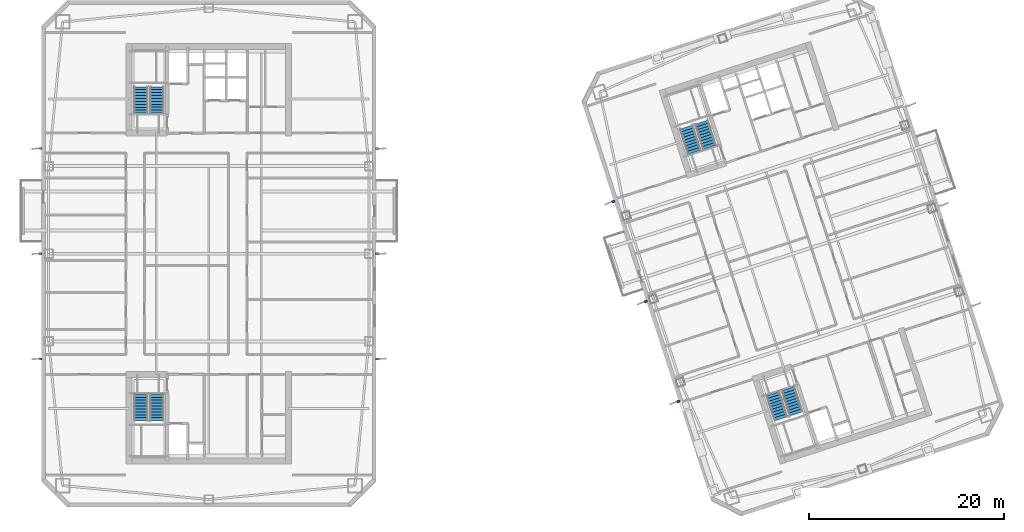
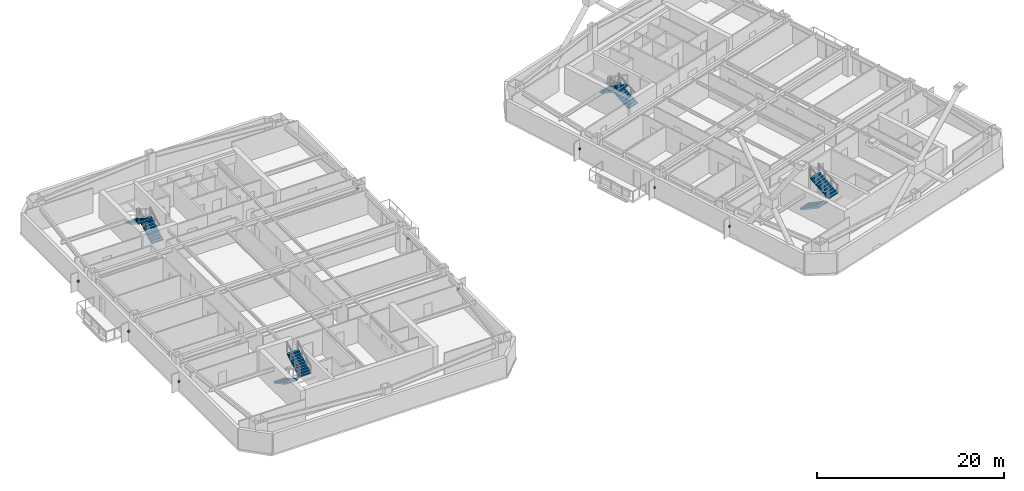
# One storey, part 12 of 18: 9 discrete accessories, 8 stair flights, 4 elements without a shape of their own.
"""IFC4 building model written with IfcOpenShell, lengths in metres."""

from ifc_helpers import new_model, si_unit, direction, frame, origin, origin_2d, place, context, subcontext, project, spatial, polyline, rectangle, outline, extrude, material, type_object, element, aggregate, save


model = new_model("IFC4")

# Units and contexts
model_context = context("Model", 3, precision=1e-05, world=origin(), true_north=direction((0.0, 1.0)))
body_context = subcontext(model_context, "Body", "Model", "MODEL_VIEW")
ifc_project = project(units=[si_unit("LENGTHUNIT", "METRE"), si_unit("AREAUNIT", "SQUARE_METRE"), si_unit("VOLUMEUNIT", "CUBIC_METRE"), si_unit("PLANEANGLEUNIT", "RADIAN"), si_unit("MASSUNIT", "GRAM", prefix="KILO")], contexts=[model_context])

# Site, building, storey
site_placement = place(None, origin())
site = spatial("IfcSite", under=ifc_project, at=site_placement, CompositionType="ELEMENT")
building_placement = place(site_placement, origin())
building = spatial("IfcBuilding", under=site, at=building_placement, Name="Qiaolan Cultural Towers", CompositionType="ELEMENT")
storey_placement = place(building_placement, frame((0.0, 0.0, 163.300048828125)))
storey = spatial("IfcBuildingStorey", under=building, at=storey_placement, Name="L43", CompositionType="ELEMENT", Elevation=163.300048828125)

# Stair, stair flights
ifc_material_1 = material(Name="Concrete C45", Category="concrete")
stair_type = type_object("IfcStairType", Name="STR-CORE-1500", PredefinedType="HALF_TURN_STAIR", material=ifc_material_1)
stair_1_placement = place(storey_placement, origin())
stair_1 = element("IfcStair", 1, at=stair_1_placement, inside=storey, type_object=stair_type, Name="L43 Smokeproof Exit Stair ST-W1", PredefinedType="HALF_TURN_STAIR")
ifc_material_2 = material(Name="Concrete C45", Category="concrete")
stair_flight_type = type_object("IfcStairFlightType", Name="STR-CORE-1500-FL", PredefinedType="STRAIGHT", material=ifc_material_2)
stair_flight_1_placement = place(storey_placement, frame((23.02001953125, 19.550048828125, 0.0), z_axis=(0.0, 0.0, 1.0), x_axis=(0.0, -1.0, 0.0)))
stair_flight_1 = element("IfcStairFlight", 2, at=stair_flight_1_placement, type_object=stair_flight_type, Name="ST-W1 flight 1", NumberOfRisers=10, NumberOfTreads=9, PredefinedType="STRAIGHT", RiserHeight=0.1725, TreadLength=0.3, context=body_context, shape_type="SweptSolid", body=[
    extrude(outline(polyline([(0.0, 0.0), (0.0, 0.172607421875), (0.300048828125, 0.172607421875), (0.300048828125, 0.344970703125), (0.60009765625, 0.344970703125), (0.60009765625, 0.517578125), (0.89990234375, 0.517578125), (0.89990234375, 0.68994140625), (1.199951171875, 0.68994140625), (1.199951171875, 0.862548828125), (1.5, 0.862548828125), (1.5, 1.034912109375), (1.800048828125, 1.034912109375), (1.800048828125, 1.20751953125), (2.10009765625, 1.20751953125), (2.10009765625, 1.3798828125), (2.39990234375, 1.3798828125), (2.39990234375, 1.552490234375), (2.699951171875, 1.552490234375), (2.699951171875, 1.72509765625), (2.699951171875, 1.379638671875), (0.30078125, 0.0), (0.0, 0.0)])), frame((0.0, 0.719970703125, 0.0), z_axis=(0.0, -1.0, 0.0), x_axis=(1.0, 0.0, 0.0)), (0.0, 0.0, 1.0), 1.43994140625),
])
stair_flight_2_placement = place(storey_placement, frame((24.659912109375, 16.85009765625, 1.724853515625), z_axis=(0.0, 0.0, 1.0), x_axis=(0.0, 1.0, 0.0)))
stair_flight_2 = element("IfcStairFlight", 3, at=stair_flight_2_placement, type_object=stair_flight_type, Name="ST-W1 flight 2", NumberOfRisers=10, NumberOfTreads=9, PredefinedType="STRAIGHT", RiserHeight=0.1725, TreadLength=0.3, context=body_context, shape_type="SweptSolid", body=[
    extrude(outline(polyline([(0.0, 0.0), (0.0, 0.172607421875), (0.300048828125, 0.172607421875), (0.300048828125, 0.344970703125), (0.60009765625, 0.344970703125), (0.60009765625, 0.517578125), (0.89990234375, 0.517578125), (0.89990234375, 0.68994140625), (1.199951171875, 0.68994140625), (1.199951171875, 0.862548828125), (1.5, 0.862548828125), (1.5, 1.034912109375), (1.800048828125, 1.034912109375), (1.800048828125, 1.20751953125), (2.10009765625, 1.20751953125), (2.10009765625, 1.3798828125), (2.39990234375, 1.3798828125), (2.39990234375, 1.552490234375), (2.699951171875, 1.552490234375), (2.699951171875, 1.72509765625), (2.699951171875, 1.379638671875), (0.30078125, 0.0), (0.0, 0.0)])), frame((0.0, 0.719970703125, 0.0), z_axis=(0.0, -1.0, 0.0), x_axis=(1.0, 0.0, 0.0)), (0.0, 0.0, 1.0), 1.43994140625),
])
aggregate(stair_1, [stair_flight_1, stair_flight_2])

stair_2_placement = place(storey_placement, origin())
stair_2 = element("IfcStair", 4, at=stair_2_placement, inside=storey, type_object=stair_type, Name="L43 Smokeproof Exit Stair ST-W2", PredefinedType="HALF_TURN_STAIR")
stair_flight_3_placement = place(storey_placement, frame((24.659912109375, 48.449951171875, 0.0), z_axis=(0.0, 0.0, 1.0), x_axis=(0.0, 1.0, 0.0)))
stair_flight_3 = element("IfcStairFlight", 5, at=stair_flight_3_placement, type_object=stair_flight_type, Name="ST-W2 flight 1", NumberOfRisers=10, NumberOfTreads=9, PredefinedType="STRAIGHT", RiserHeight=0.1725, TreadLength=0.3, context=body_context, shape_type="SweptSolid", body=[
    extrude(outline(polyline([(0.0, 0.0), (0.0, 0.172607421875), (0.300048828125, 0.172607421875), (0.300048828125, 0.344970703125), (0.60009765625, 0.344970703125), (0.60009765625, 0.517578125), (0.89990234375, 0.517578125), (0.89990234375, 0.68994140625), (1.199951171875, 0.68994140625), (1.199951171875, 0.862548828125), (1.5, 0.862548828125), (1.5, 1.034912109375), (1.800048828125, 1.034912109375), (1.800048828125, 1.20751953125), (2.10009765625, 1.20751953125), (2.10009765625, 1.3798828125), (2.39990234375, 1.3798828125), (2.39990234375, 1.552490234375), (2.699951171875, 1.552490234375), (2.699951171875, 1.72509765625), (2.699951171875, 1.379638671875), (0.30078125, 0.0), (0.0, 0.0)])), frame((0.0, 0.719970703125, 0.0), z_axis=(0.0, -1.0, 0.0), x_axis=(1.0, 0.0, 0.0)), (0.0, 0.0, 1.0), 1.43994140625),
])
stair_flight_4_placement = place(storey_placement, frame((23.02001953125, 51.14990234375, 1.724853515625), z_axis=(0.0, 0.0, 1.0), x_axis=(0.0, -1.0, 0.0)))
stair_flight_4 = element("IfcStairFlight", 6, at=stair_flight_4_placement, type_object=stair_flight_type, Name="ST-W2 flight 2", NumberOfRisers=10, NumberOfTreads=9, PredefinedType="STRAIGHT", RiserHeight=0.1725, TreadLength=0.3, context=body_context, shape_type="SweptSolid", body=[
    extrude(outline(polyline([(0.0, 0.0), (0.0, 0.172607421875), (0.300048828125, 0.172607421875), (0.300048828125, 0.344970703125), (0.60009765625, 0.344970703125), (0.60009765625, 0.517578125), (0.89990234375, 0.517578125), (0.89990234375, 0.68994140625), (1.199951171875, 0.68994140625), (1.199951171875, 0.862548828125), (1.5, 0.862548828125), (1.5, 1.034912109375), (1.800048828125, 1.034912109375), (1.800048828125, 1.20751953125), (2.10009765625, 1.20751953125), (2.10009765625, 1.3798828125), (2.39990234375, 1.3798828125), (2.39990234375, 1.552490234375), (2.699951171875, 1.552490234375), (2.699951171875, 1.72509765625), (2.699951171875, 1.379638671875), (0.30078125, 0.0), (0.0, 0.0)])), frame((0.0, 0.719970703125, 0.0), z_axis=(0.0, -1.0, 0.0), x_axis=(1.0, 0.0, 0.0)), (0.0, 0.0, 1.0), 1.43994140625),
])
aggregate(stair_2, [stair_flight_3, stair_flight_4])

stair_3_placement = place(storey_placement, origin())
stair_3 = element("IfcStair", 7, at=stair_3_placement, inside=storey, type_object=stair_type, Name="L43 Smokeproof Exit Stair ST-E1", PredefinedType="HALF_TURN_STAIR")
stair_flight_5_placement = place(storey_placement, frame((87.96484375, 19.6171875, 0.0), z_axis=(0.0, 0.0, 1.0), x_axis=(0.309016994375, -0.951056516295, 0.0)))
stair_flight_5 = element("IfcStairFlight", 8, at=stair_flight_5_placement, type_object=stair_flight_type, Name="ST-E1 flight 1", NumberOfRisers=10, NumberOfTreads=9, PredefinedType="STRAIGHT", RiserHeight=0.1725, TreadLength=0.3, context=body_context, shape_type="SweptSolid", body=[
    extrude(outline(polyline([(0.0, 0.0), (0.0, 0.172607421875), (0.300048828125, 0.172607421875), (0.300048828125, 0.344970703125), (0.60009765625, 0.344970703125), (0.60009765625, 0.517578125), (0.89990234375, 0.517578125), (0.89990234375, 0.68994140625), (1.199951171875, 0.68994140625), (1.199951171875, 0.862548828125), (1.5, 0.862548828125), (1.5, 1.034912109375), (1.800048828125, 1.034912109375), (1.800048828125, 1.20751953125), (2.10009765625, 1.20751953125), (2.10009765625, 1.3798828125), (2.39990234375, 1.3798828125), (2.39990234375, 1.552490234375), (2.699951171875, 1.552490234375), (2.699951171875, 1.72509765625), (2.699951171875, 1.379638671875), (0.30078125, 0.0), (0.0, 0.0)])), frame((0.0, 0.719970703125, 0.0), z_axis=(0.0, -1.0, 0.0), x_axis=(1.0, 0.0, 0.0)), (0.0, 0.0, 1.0), 1.43994140625),
])
stair_flight_6_placement = place(storey_placement, frame((90.359130859375, 17.55615234375, 1.724853515625), z_axis=(0.0, 0.0, 1.0), x_axis=(-0.309016994375, 0.951056516295, 0.0)))
stair_flight_6 = element("IfcStairFlight", 9, at=stair_flight_6_placement, type_object=stair_flight_type, Name="ST-E1 flight 2", NumberOfRisers=10, NumberOfTreads=9, PredefinedType="STRAIGHT", RiserHeight=0.1725, TreadLength=0.3, context=body_context, shape_type="SweptSolid", body=[
    extrude(outline(polyline([(0.0, 0.0), (0.0, 0.172607421875), (0.300048828125, 0.172607421875), (0.300048828125, 0.344970703125), (0.60009765625, 0.344970703125), (0.60009765625, 0.517578125), (0.89990234375, 0.517578125), (0.89990234375, 0.68994140625), (1.199951171875, 0.68994140625), (1.199951171875, 0.862548828125), (1.5, 0.862548828125), (1.5, 1.034912109375), (1.800048828125, 1.034912109375), (1.800048828125, 1.20751953125), (2.10009765625, 1.20751953125), (2.10009765625, 1.3798828125), (2.39990234375, 1.3798828125), (2.39990234375, 1.552490234375), (2.699951171875, 1.552490234375), (2.699951171875, 1.72509765625), (2.699951171875, 1.379638671875), (0.30078125, 0.0), (0.0, 0.0)])), frame((0.0, 0.719970703125, 0.0), z_axis=(0.0, -1.0, 0.0), x_axis=(1.0, 0.0, 0.0)), (0.0, 0.0, 1.0), 1.43994140625),
])
aggregate(stair_3, [stair_flight_5, stair_flight_6])

stair_4_placement = place(storey_placement, origin())
stair_4 = element("IfcStair", 10, at=stair_4_placement, inside=storey, type_object=stair_type, Name="L43 Smokeproof Exit Stair ST-E2", PredefinedType="HALF_TURN_STAIR")
stair_flight_7_placement = place(storey_placement, frame((81.459228515625, 44.946533203125, 0.0), z_axis=(0.0, 0.0, 1.0), x_axis=(-0.309016994375, 0.951056516295, 0.0)))
stair_flight_7 = element("IfcStairFlight", 11, at=stair_flight_7_placement, type_object=stair_flight_type, Name="ST-E2 flight 1", NumberOfRisers=10, NumberOfTreads=9, PredefinedType="STRAIGHT", RiserHeight=0.1725, TreadLength=0.3, context=body_context, shape_type="SweptSolid", body=[
    extrude(outline(polyline([(0.0, 0.0), (0.0, 0.172607421875), (0.300048828125, 0.172607421875), (0.300048828125, 0.344970703125), (0.60009765625, 0.344970703125), (0.60009765625, 0.517578125), (0.89990234375, 0.517578125), (0.89990234375, 0.68994140625), (1.199951171875, 0.68994140625), (1.199951171875, 0.862548828125), (1.5, 0.862548828125), (1.5, 1.034912109375), (1.800048828125, 1.034912109375), (1.800048828125, 1.20751953125), (2.10009765625, 1.20751953125), (2.10009765625, 1.3798828125), (2.39990234375, 1.3798828125), (2.39990234375, 1.552490234375), (2.699951171875, 1.552490234375), (2.699951171875, 1.72509765625), (2.699951171875, 1.379638671875), (0.30078125, 0.0), (0.0, 0.0)])), frame((0.0, 0.719970703125, 0.0), z_axis=(0.0, -1.0, 0.0), x_axis=(1.0, 0.0, 0.0)), (0.0, 0.0, 1.0), 1.43994140625),
])
stair_flight_8_placement = place(storey_placement, frame((79.065185546875, 47.007568359375, 1.724853515625), z_axis=(0.0, 0.0, 1.0), x_axis=(0.309016994375, -0.951056516295, 0.0)))
stair_flight_8 = element("IfcStairFlight", 12, at=stair_flight_8_placement, type_object=stair_flight_type, Name="ST-E2 flight 2", NumberOfRisers=10, NumberOfTreads=9, PredefinedType="STRAIGHT", RiserHeight=0.1725, TreadLength=0.3, context=body_context, shape_type="SweptSolid", body=[
    extrude(outline(polyline([(0.0, 0.0), (0.0, 0.172607421875), (0.300048828125, 0.172607421875), (0.300048828125, 0.344970703125), (0.60009765625, 0.344970703125), (0.60009765625, 0.517578125), (0.89990234375, 0.517578125), (0.89990234375, 0.68994140625), (1.199951171875, 0.68994140625), (1.199951171875, 0.862548828125), (1.5, 0.862548828125), (1.5, 1.034912109375), (1.800048828125, 1.034912109375), (1.800048828125, 1.20751953125), (2.10009765625, 1.20751953125), (2.10009765625, 1.3798828125), (2.39990234375, 1.3798828125), (2.39990234375, 1.552490234375), (2.699951171875, 1.552490234375), (2.699951171875, 1.72509765625), (2.699951171875, 1.379638671875), (0.30078125, 0.0), (0.0, 0.0)])), frame((0.0, 0.719970703125, 0.0), z_axis=(0.0, -1.0, 0.0), x_axis=(1.0, 0.0, 0.0)), (0.0, 0.0, 1.0), 1.43994140625),
])
aggregate(stair_4, [stair_flight_7, stair_flight_8])

# Discrete accessories
ifc_material_3 = material(Name="Stainless Steel S31608 Facade Anchor Bracket", Category="steel")
discrete_accessory_type = type_object("IfcDiscreteAccessoryType", Name="ACC-BRK-SS", PredefinedType="BRACKET", material=ifc_material_3)
for number, where, z_axis, x_axis, name in (
    (13, (12.719970703125, 23.199951171875, 1.18505859375), (0.0, 0.0, 1.0), (1.0, 0.0, 0.0), "L43 T1 Facade Fin Anchor Bracket W1"),
    (14, (12.719970703125, 34.0, 1.18505859375), (0.0, 0.0, 1.0), (1.0, 0.0, 0.0), "L43 T1 Facade Fin Anchor Bracket W2"),
    (15, (12.719970703125, 44.800048828125, 1.18505859375), (0.0, 0.0, 1.0), (1.0, 0.0, 0.0), "L43 T1 Facade Fin Anchor Bracket W3"),
    (16, (47.280029296875, 23.199951171875, 1.18505859375), (0.0, 0.0, 1.0), (1.0, 0.0, 0.0), "L43 T1 Facade Fin Anchor Bracket E1"),
    (17, (47.280029296875, 34.0, 1.18505859375), (0.0, 0.0, 1.0), (1.0, 0.0, 0.0), "L43 T1 Facade Fin Anchor Bracket E2"),
    (18, (47.280029296875, 44.800048828125, 1.18505859375), (0.0, 0.0, 1.0), (1.0, 0.0, 0.0), "L43 T1 Facade Fin Anchor Bracket E3"),
    (19, (78.234619140625, 18.8212890625, 1.18505859375), (0.0, 0.0, 1.0), (0.951056516295, 0.309016994375, 0.0), "L43 T2 Facade Fin Anchor Bracket W1"),
    (20, (74.897216796875, 29.0927734375, 1.18505859375), (0.0, 0.0, 1.0), (0.951056516295, 0.309016994375, 0.0), "L43 T2 Facade Fin Anchor Bracket W2"),
    (21, (71.559814453125, 39.3642578125, 1.18505859375), (0.0, 0.0, 1.0), (0.951056516295, 0.309016994375, 0.0), "L43 T2 Facade Fin Anchor Bracket W3"),
):
    element("IfcDiscreteAccessory", number, at=place(storey_placement, frame(where, z_axis=z_axis, x_axis=x_axis)), inside=storey, type_object=discrete_accessory_type, Name=name, PredefinedType="BRACKET", context=body_context, shape_type="SweptSolid", body=[
        extrude(rectangle(XDim=0.280029296875, YDim=0.219970703125, at=origin_2d()), origin(), (0.0, 0.0, 1.0), 0.239990234375),
    ])

save(model, "model.ifc")
